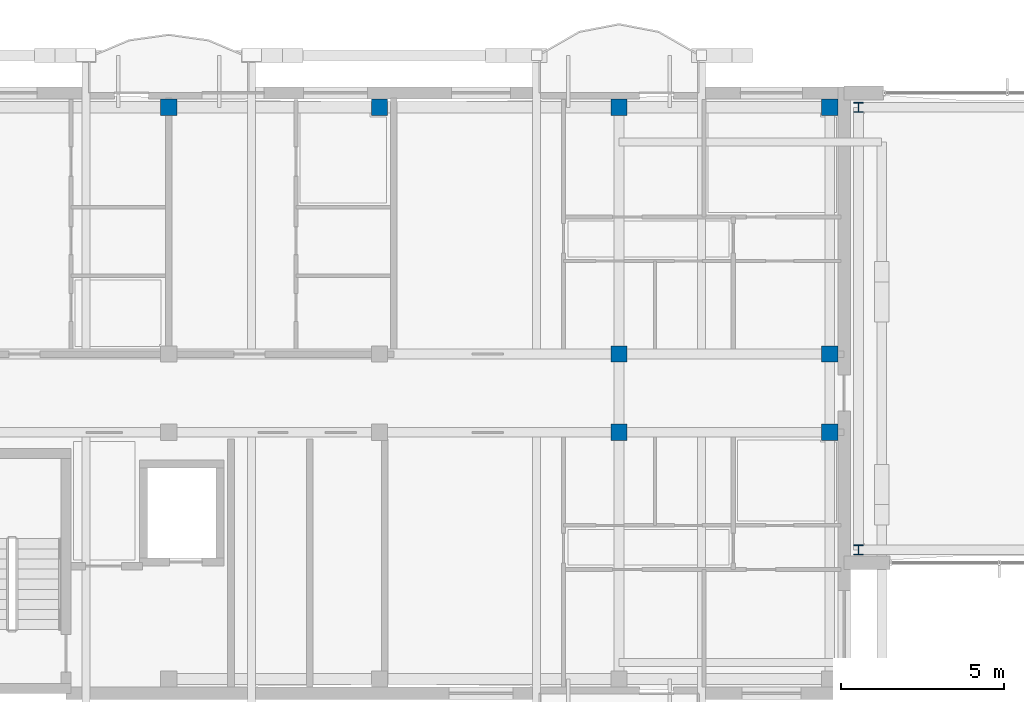
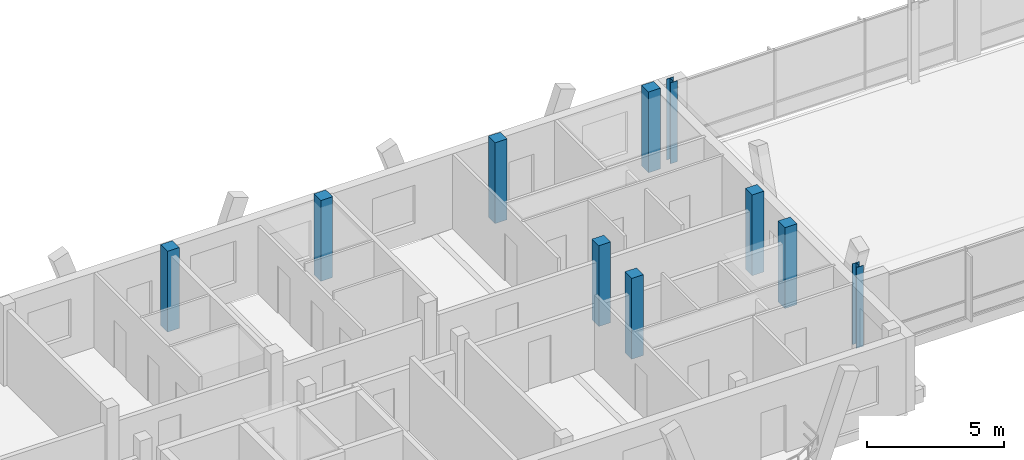
# One storey, part 7 of 189: 10 columns.
"""IFC4 building model written with IfcOpenShell, lengths in metres."""

from ifc_helpers import new_model, si_unit, direction, frame, origin, origin_2d, place, context, subcontext, project, spatial, rectangle, i_section, extrude, material, material_profile, profile_set, type_object, element, save


model = new_model("IFC4")

# Units and contexts
model_context = context("Model", 3, precision=1e-05, world=origin(), true_north=direction((0.0, 1.0)))
body_context = subcontext(model_context, "Body", "Model", "MODEL_VIEW")
ifc_project = project(units=[si_unit("LENGTHUNIT", "METRE"), si_unit("AREAUNIT", "SQUARE_METRE"), si_unit("VOLUMEUNIT", "CUBIC_METRE"), si_unit("PLANEANGLEUNIT", "RADIAN"), si_unit("MASSUNIT", "GRAM", prefix="KILO")], contexts=[model_context])

# Site, building, storey
site_placement = place(None, origin())
site = spatial("IfcSite", under=ifc_project, at=site_placement, CompositionType="ELEMENT")
building_placement = place(site_placement, origin())
building = spatial("IfcBuilding", under=site, at=building_placement, Name="Zavelmont Quarter", CompositionType="ELEMENT")
storey_placement = place(building_placement, frame((0.0, 0.0, 4.39990234375)))
storey = spatial("IfcBuildingStorey", under=building, at=storey_placement, Name="L01", CompositionType="ELEMENT", Elevation=4.39990234375)

# Columns
ifc_material_1 = material(Name="Concrete C40/50", Category="concrete")
ifc_material_profile_1 = material_profile(ifc_material_1, rectangle(XDim=0.5, YDim=0.5, at=origin_2d()), Name="RC500X500")
ifc_profile_set_1 = profile_set([ifc_material_profile_1], Name="Concrete C40/50")
column_type_1 = type_object("IfcColumnType", Name="CL03", PredefinedType="COLUMN", material=ifc_profile_set_1)
for number, where, z_axis, x_axis, name in (
    (1, (34.5, 115.56005859375, 0.0), (0.0, 0.0, 1.0), (1.0, 0.0, 0.0), "L01 column CL03 at 6/S"),
    (2, (40.9599609375, 115.56005859375, 0.0), (0.0, 0.0, 1.0), (1.0, 0.0, 0.0), "L01 column CL03 at 7/S"),
    (3, (48.300048828125, 105.60009765625, 0.0), (0.0, 0.0, 1.0), (1.0, 0.0, 0.0), "L01 column CL03 at 8/Q"),
    (4, (48.300048828125, 108.0, 0.0), (0.0, 0.0, 1.0), (1.0, 0.0, 0.0), "L01 column CL03 at 8/R"),
    (5, (48.300048828125, 115.56005859375, 0.0), (0.0, 0.0, 1.0), (1.0, 0.0, 0.0), "L01 column CL03 at 8/S"),
    (6, (54.760009765625, 105.60009765625, 0.0), (0.0, 0.0, 1.0), (1.0, 0.0, 0.0), "L01 column CL03 at 9/Q"),
    (7, (54.760009765625, 108.0, 0.0), (0.0, 0.0, 1.0), (1.0, 0.0, 0.0), "L01 column CL03 at 9/R"),
    (8, (54.760009765625, 115.56005859375, 0.0), (0.0, 0.0, 1.0), (1.0, 0.0, 0.0), "L01 column CL03 at 9/S"),
):
    element("IfcColumn", number, at=place(storey_placement, frame(where, z_axis=z_axis, x_axis=x_axis)), inside=storey, type_object=column_type_1, Name=name, PredefinedType="COLUMN", context=body_context, shape_type="SweptSolid", body=[
        extrude(rectangle(XDim=0.5, YDim=0.5, at=origin_2d()), origin(), (0.0, 0.0, 1.0), 3.60009765625),
    ])
ifc_material_2 = material(Name="Steel S355", Category="steel")
ifc_material_profile_2 = material_profile(ifc_material_2, i_section(OverallWidth=0.300048828125, OverallDepth=0.300048828125, WebThickness=0.010986328125, FlangeThickness=0.01904296875, at=origin_2d()), Name="HEB 300")
ifc_profile_set_2 = profile_set([ifc_material_profile_2], Name="Steel S355")
column_type_2 = type_object("IfcColumnType", Name="CL10", PredefinedType="COLUMN", material=ifc_profile_set_2)
for number, where, z_axis, x_axis, name in (
    (9, (55.639892578125, 102.0, 0.0), (0.0, 0.0, 1.0), (1.0, 0.0, 0.0), "L01 column CL10 at 9/Q"),
    (10, (55.639892578125, 115.56005859375, 0.0), (0.0, 0.0, 1.0), (1.0, 0.0, 0.0), "L01 column CL10 at 9/S"),
):
    element("IfcColumn", number, at=place(storey_placement, frame(where, z_axis=z_axis, x_axis=x_axis)), inside=storey, type_object=column_type_2, Name=name, PredefinedType="COLUMN", context=body_context, shape_type="SweptSolid", body=[
        extrude(i_section(OverallWidth=0.300048828125, OverallDepth=0.300048828125, WebThickness=0.010986328125, FlangeThickness=0.01904296875, at=origin_2d()), origin(), (0.0, 0.0, 1.0), 3.60009765625),
    ])

save(model, "model.ifc")
